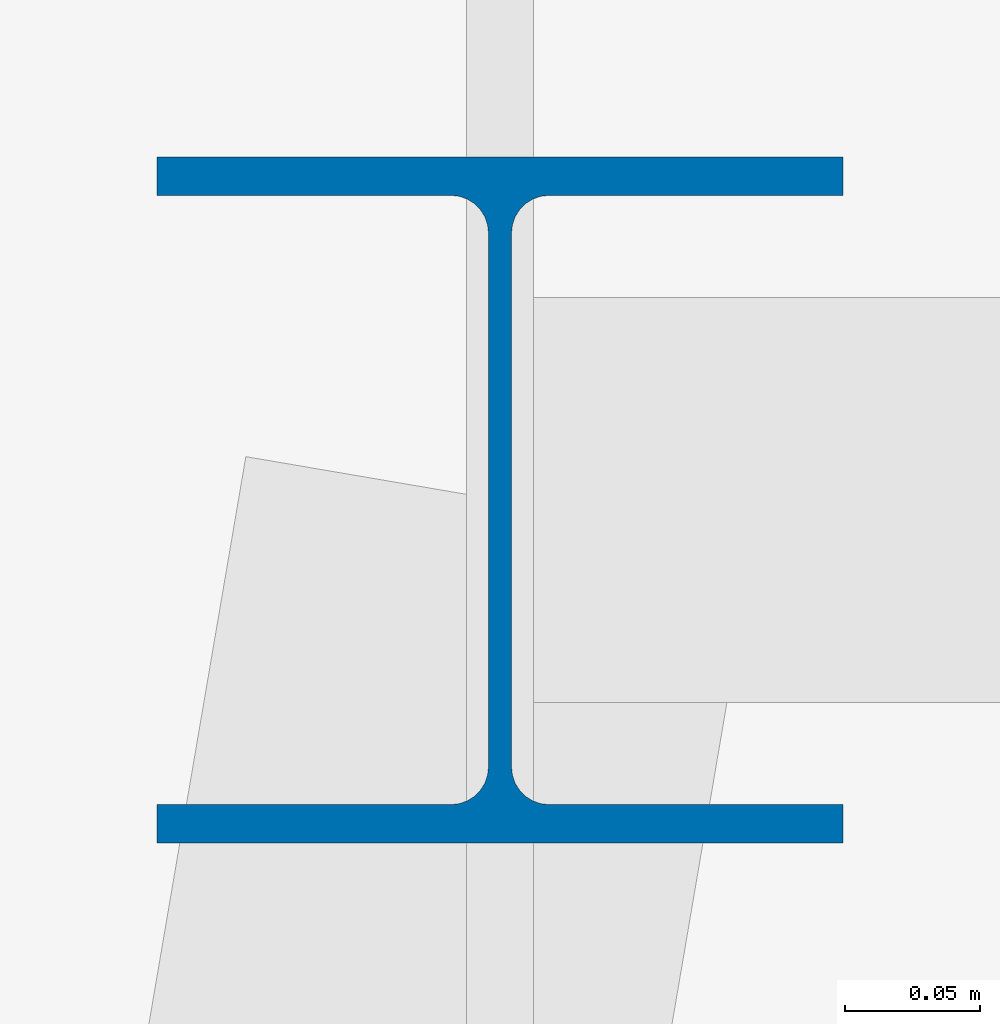
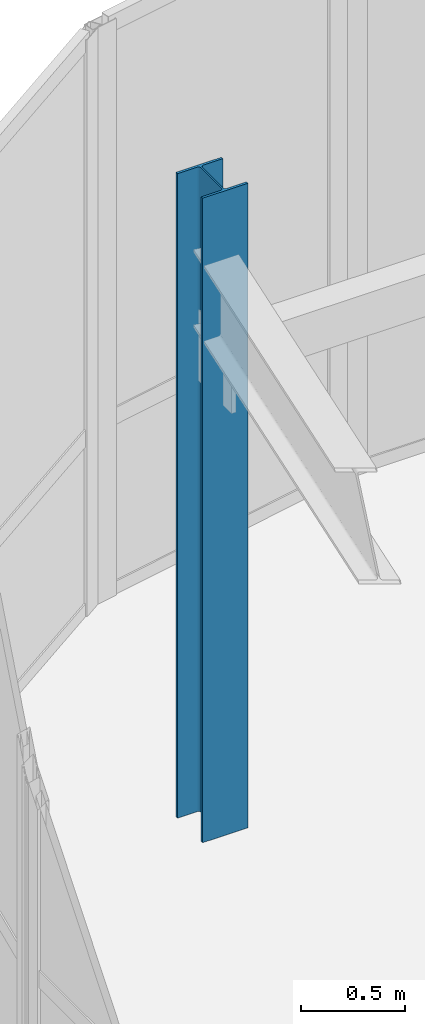
# One storey, part 4 of 35: 1 column.
"""IFC4 building model written with IfcOpenShell, lengths in metres."""

from ifc_helpers import new_model, si_unit, direction, frame, origin, origin_2d, place, context, subcontext, project, spatial, i_section, extrude, source, transform, mapped, material, material_profile, profile_set, type_object, type_shapes, element, save


model = new_model("IFC4")

# Units and contexts
model_context = context("Model", 3, precision=1e-05, world=origin(), true_north=direction((0.0, 1.0)))
body_context = subcontext(model_context, "Body", "Model", "MODEL_VIEW")
ifc_project = project(units=[si_unit("LENGTHUNIT", "METRE"), si_unit("AREAUNIT", "SQUARE_METRE"), si_unit("VOLUMEUNIT", "CUBIC_METRE"), si_unit("PLANEANGLEUNIT", "RADIAN"), si_unit("MASSUNIT", "GRAM", prefix="KILO")], contexts=[model_context])

# Site, building, storey
site_placement = place(None, origin())
site = spatial("IfcSite", under=ifc_project, at=site_placement, CompositionType="ELEMENT")
building_placement = place(site_placement, origin())
building = spatial("IfcBuilding", under=site, at=building_placement, Name="Tolvann Quenvar Hotel", CompositionType="ELEMENT")
storey_placement = place(building_placement, frame((0.0, 0.0, 309.949951171875)))
storey = spatial("IfcBuildingStorey", under=building, at=storey_placement, Name="L82", CompositionType="ELEMENT", Elevation=309.949951171875)

# Column
ifc_material = material(Name="Steel Grade 350", Category="steel")
ifc_material_profile = material_profile(ifc_material, i_section(OverallWidth=0.25390625, OverallDepth=0.25390625, WebThickness=0.008544921875, FlangeThickness=0.01416015625, FilletRadius=0.013916015625, at=origin_2d()), Name="250UC73")
ifc_profile_set = profile_set([ifc_material_profile], Name="Steel Grade 350")
column_type = type_object("IfcColumnType", Name="COL_250UC73", PredefinedType="COLUMN", material=ifc_profile_set)
shared_shape = source(origin(), body_context, "Body", "SweptSolid", [
    extrude(i_section(OverallWidth=0.25390625, OverallDepth=0.25390625, WebThickness=0.008544921875, FlangeThickness=0.01416015625, FilletRadius=0.013916015625, at=origin_2d()), origin(), (0.0, 0.0, 1.0), 3.800048828125),
])
type_shapes(column_type, [shared_shape])
column_placement = place(storey_placement, frame((5.800048828125, 41.89990234375, 0.0), z_axis=(0.0, 0.0, 1.0), x_axis=(1.0, 0.0, 0.0)))
element("IfcColumn", 1, at=column_placement, inside=storey, type_object=column_type, Name="Column BN (L82)", PredefinedType="COLUMN", context=body_context, shape_type="MappedRepresentation", body=[
    mapped(shared_shape, transform((0.0, 0.0, 0.0), x_axis=(1.0, 0.0, 0.0), y_axis=(0.0, 1.0, 0.0), z_axis=(0.0, 0.0, 1.0), scale=1.0)),
])

save(model, "model.ifc")
